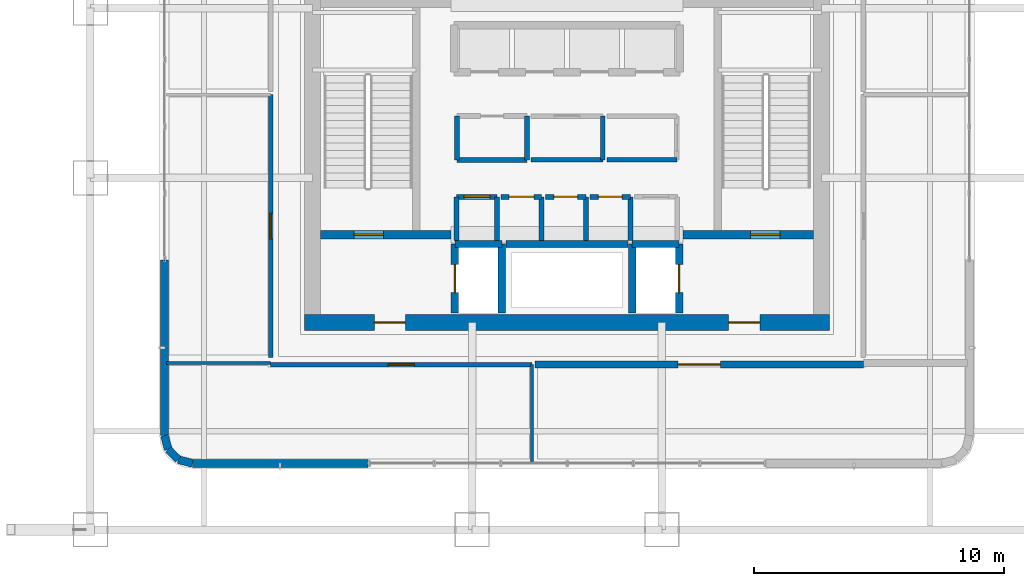
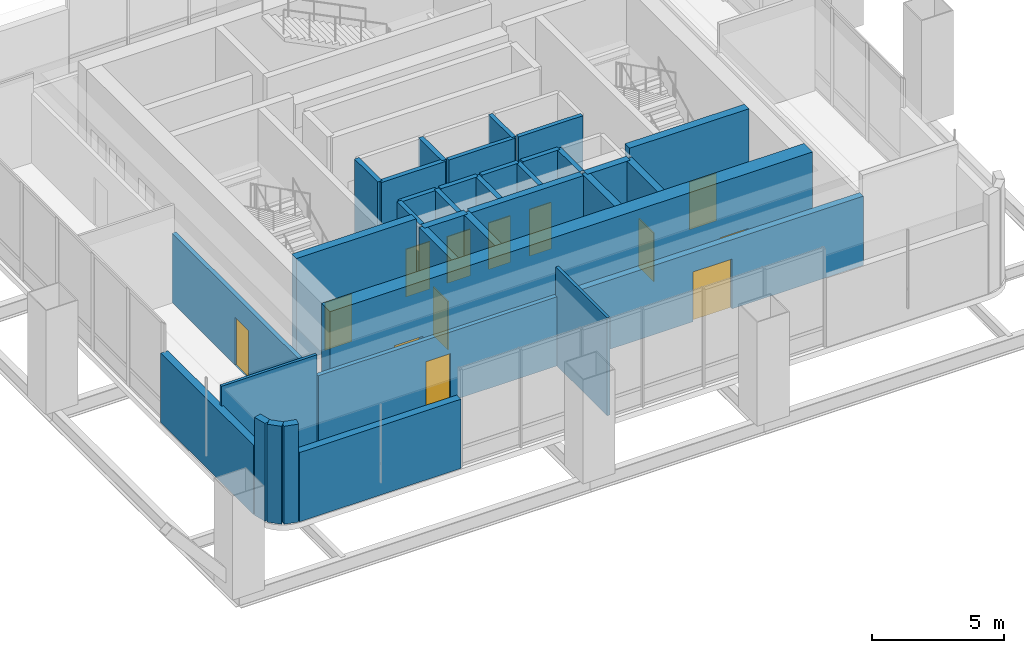
# One storey, part 18 of 30: 35 walls, 13 doors, 13 openings.
"""IFC4 building model written with IfcOpenShell, lengths in metres."""

from ifc_helpers import new_model, si_unit, direction, frame, frame_2d, origin, place, context, subcontext, project, spatial, rectangle, extrude, material, layer, layer_set, type_object, element, fill, save


model = new_model("IFC4")

# Units and contexts
model_context = context("Model", 3, precision=1e-05, world=origin(), true_north=direction((0.0, 1.0)))
body_context = subcontext(model_context, "Body", "Model", "MODEL_VIEW")
ifc_project = project(units=[si_unit("LENGTHUNIT", "METRE"), si_unit("AREAUNIT", "SQUARE_METRE"), si_unit("VOLUMEUNIT", "CUBIC_METRE"), si_unit("PLANEANGLEUNIT", "RADIAN"), si_unit("MASSUNIT", "GRAM", prefix="KILO")], contexts=[model_context])

# Site, building, storey
site_placement = place(None, origin())
site = spatial("IfcSite", under=ifc_project, at=site_placement, CompositionType="ELEMENT")
building_placement = place(site_placement, origin())
building = spatial("IfcBuilding", under=site, at=building_placement, Name="Punatoya Terracotta Tower", CompositionType="ELEMENT")
storey_placement = place(building_placement, frame((0.0, 0.0, 135.0)))
storey = spatial("IfcBuildingStorey", under=building, at=storey_placement, Name="L31", CompositionType="ELEMENT", Elevation=135.0)

# Wall, opening, door
ifc_material_1 = material(Name="Concrete C40/50", Category="concrete")
ifc_layer_1 = layer(ifc_material_1, 0.280029296875)
ifc_layer_set_1 = layer_set([ifc_layer_1], Name="Concrete C40/50")
wall_type_1 = type_object("IfcWallType", Name="WL-AUD-280", PredefinedType="SOLIDWALL", material=ifc_layer_set_1)
wall_1_placement = place(storey_placement, frame((-1.285888671875, -10.8798828125, 0.0), z_axis=(0.0, 0.0, 1.0), x_axis=(1.0, 0.0, 0.0)))
wall_1 = element("IfcWall", 1, at=wall_1_placement, inside=storey, type_object=wall_type_1, Name="L31 Waterfront Espresso Bistro Partition 25", PredefinedType="SOLIDWALL", context=body_context, shape_type="SweptSolid", body=[
    extrude(rectangle(XDim=13.165771484375, YDim=0.280029296875, at=frame_2d((6.5830078125, 0.0))), origin(), (0.0, 0.0, 1.0), 3.194091796875),
])
opening_1_placement = place(wall_1_placement, frame((5.73291015625, 0.0, 0.0)))
opening_1 = element("IfcOpeningElement", 2, at=opening_1_placement, cuts=wall_1, Name="Opening FD-D1", PredefinedType="OPENING", context=body_context, shape_type="SweptSolid", body=[
    extrude(rectangle(XDim=1.699951171875, YDim=2.300048828125, at=frame_2d((0.85009765625, 1.14990234375))), frame((0.0, 0.14990234375, 0.0), z_axis=(0.0, -1.0, 0.0), x_axis=(1.0, 0.0, 0.0)), (0.0, 0.0, 1.0), 0.300048828125),
])
ifc_material_2 = material(Name="Timber Teak Veneer Fire Leaf", Category="wood")
door_type_1 = type_object("IfcDoorType", Name="DR-DIN-1700", OperationType="NOTDEFINED", PredefinedType="DOOR", material=ifc_material_2)
door_1_placement = place(opening_1_placement, origin())
door_1 = element("IfcDoor", 3, at=door_1_placement, inside=storey, type_object=door_type_1, Name="L31 Waterfront Espresso Bistro Fire Door", OperationType="DOUBLE_DOOR_SINGLE_SWING", OverallHeight=2.300048828125, OverallWidth=1.699951171875, PredefinedType="DOOR", context=body_context, shape_type="SweptSolid", body=[
    extrude(rectangle(XDim=1.699951171875, YDim=2.300048828125, at=frame_2d((0.85009765625, 1.14990234375))), frame((0.0, 0.02490234375, 0.0), z_axis=(0.0, -1.0, 0.0), x_axis=(1.0, 0.0, 0.0)), (0.0, 0.0, 1.0), 0.050048828125),
])
fill(opening_1, door_1)

# Wall, openings, doors
ifc_material_3 = material(Name="Concrete C60/75", Category="concrete")
ifc_layer_2 = layer(ifc_material_3, 0.64990234375)
ifc_layer_set_2 = layer_set([ifc_layer_2], Name="Concrete C60/75")
wall_type_2 = type_object("IfcWallType", Name="WL-COR-650", PredefinedType="SHEAR", material=ifc_layer_set_2)
wall_2_placement = place(storey_placement, frame((10.52490234375, -9.199951171875, 0.0), z_axis=(0.0, 0.0, 1.0), x_axis=(-1.0, 0.0, 0.0)))
wall_2 = element("IfcWall", 4, at=wall_2_placement, inside=storey, type_object=wall_type_2, Name="L31 Core Shear Wall S", PredefinedType="SHEAR", context=body_context, shape_type="SweptSolid", body=[
    extrude(rectangle(XDim=21.0498046875, YDim=0.64990234375, at=frame_2d((10.52490234375, 0.0))), origin(), (0.0, 0.0, 1.0), 4.800048828125),
])
opening_2_placement = place(wall_2_placement, frame((2.800048828125, 0.0, 0.0)))
opening_2 = element("IfcOpeningElement", 5, at=opening_2_placement, cuts=wall_2, Name="Opening FD-L1", PredefinedType="OPENING", context=body_context, shape_type="SweptSolid", body=[
    extrude(rectangle(XDim=1.25, YDim=2.25, at=frame_2d((0.625, 1.125))), frame((0.0, 0.3349609375, 0.0), z_axis=(0.0, -1.0, 0.0), x_axis=(1.0, 0.0, 0.0)), (0.0, 0.0, 1.0), 0.669921875),
])
opening_3_placement = place(wall_2_placement, frame((17.0, 0.0, 0.0)))
opening_3 = element("IfcOpeningElement", 6, at=opening_3_placement, cuts=wall_2, Name="Opening FD-L1", PredefinedType="OPENING", context=body_context, shape_type="SweptSolid", body=[
    extrude(rectangle(XDim=1.25, YDim=2.25, at=frame_2d((0.625, 1.125))), frame((0.0, 0.3349609375, 0.0), z_axis=(0.0, -1.0, 0.0), x_axis=(1.0, 0.0, 0.0)), (0.0, 0.0, 1.0), 0.669921875),
])
ifc_material_4 = material(Name="Galvanised Steel Smokeproof Fire Door", Category="steel")
door_type_2 = type_object("IfcDoorType", Name="DR-FFL-1250", OperationType="NOTDEFINED", PredefinedType="DOOR", material=ifc_material_4)
door_2_placement = place(opening_2_placement, origin())
door_2 = element("IfcDoor", 7, at=door_2_placement, inside=storey, type_object=door_type_2, Name="L31 East Firefighting Lobby Corridor Fire Door", OperationType="SINGLE_SWING_LEFT", OverallHeight=2.25, OverallWidth=1.25, PredefinedType="DOOR", context=body_context, shape_type="SweptSolid", body=[
    extrude(rectangle(XDim=1.25, YDim=2.25, at=frame_2d((0.625, 1.125))), frame((0.0, 0.02490234375, 0.0), z_axis=(0.0, -1.0, 0.0), x_axis=(1.0, 0.0, 0.0)), (0.0, 0.0, 1.0), 0.050048828125),
])
fill(opening_2, door_2)
door_3_placement = place(opening_3_placement, origin())
door_3 = element("IfcDoor", 8, at=door_3_placement, inside=storey, type_object=door_type_2, Name="L31 West Firefighting Lobby Corridor Fire Door", OperationType="SINGLE_SWING_RIGHT", OverallHeight=2.25, OverallWidth=1.25, PredefinedType="DOOR", context=body_context, shape_type="SweptSolid", body=[
    extrude(rectangle(XDim=1.25, YDim=2.25, at=frame_2d((0.625, 1.125))), frame((0.0, 0.02490234375, 0.0), z_axis=(0.0, -1.0, 0.0), x_axis=(1.0, 0.0, 0.0)), (0.0, 0.0, 1.0), 0.050048828125),
])
fill(opening_3, door_3)

# Walls
ifc_material_5 = material(Name="Gypsum Fireboard + Steel Stud", Category="steel")
ifc_layer_3 = layer(ifc_material_5, 0.179931640625)
ifc_layer_set_3 = layer_set([ifc_layer_3], Name="Gypsum Fireboard + Steel Stud")
wall_type_3 = type_object("IfcWallType", Name="WL-CORR-180", PredefinedType="PARTITIONING", material=ifc_layer_set_3)
wall_3_placement = place(storey_placement, frame((1.43994140625, -2.679931640625, 0.0), z_axis=(0.0, 0.0, 1.0), x_axis=(0.0, 1.0, 0.0)))
element("IfcWall", 9, at=wall_3_placement, inside=storey, type_object=wall_type_3, Name="L31 Center Core Briefing Pod Partition 16", PredefinedType="PARTITIONING", context=body_context, shape_type="SweptSolid", body=[
    extrude(rectangle(XDim=1.760009765625, YDim=0.179931640625, at=frame_2d((0.8798828125, 0.0))), origin(), (0.0, 0.0, 1.0), 4.52001953125),
])
wall_4_placement = place(storey_placement, frame((-1.43994140625, -2.679931640625, 0.0), z_axis=(0.0, 0.0, 1.0), x_axis=(1.0, 0.0, 0.0)))
element("IfcWall", 10, at=wall_4_placement, inside=storey, type_object=wall_type_3, Name="L31 Center Core Briefing Pod Partition 18", PredefinedType="PARTITIONING", context=body_context, shape_type="SweptSolid", body=[
    extrude(rectangle(XDim=2.8798828125, YDim=0.179931640625, at=frame_2d((1.43994140625, 0.0))), origin(), (0.0, 0.0, 1.0), 4.52001953125),
])
wall_5_placement = place(storey_placement, frame((1.60009765625, -2.679931640625, 0.0), z_axis=(0.0, 0.0, 1.0), x_axis=(1.0, 0.0, 0.0)))
element("IfcWall", 11, at=wall_5_placement, inside=storey, type_object=wall_type_3, Name="L31 Right Core Copy Room Partition 21", PredefinedType="PARTITIONING", context=body_context, shape_type="SweptSolid", body=[
    extrude(rectangle(XDim=2.7998046875, YDim=0.179931640625, at=frame_2d((1.39990234375, 0.0))), origin(), (0.0, 0.0, 1.0), 4.52001953125),
])

# Wall, opening, door
wall_6_placement = place(storey_placement, frame((-11.8798828125, -10.8798828125, 0.0), z_axis=(0.0, 0.0, 1.0), x_axis=(1.0, 0.0, 0.0)))
wall_6 = element("IfcWall", 12, at=wall_6_placement, inside=storey, type_object=wall_type_3, Name="L31 Sky Lobby Transfer Lounge Partition 23", PredefinedType="PARTITIONING", context=body_context, shape_type="SweptSolid", body=[
    extrude(rectangle(XDim=10.473876953125, YDim=0.179931640625, at=frame_2d((5.23681640625, 0.0))), origin(), (0.0, 0.0, 1.0), 3.194091796875),
])
opening_4_placement = place(wall_6_placement, frame((4.7119140625, 0.0, 0.0)))
opening_4 = element("IfcOpeningElement", 13, at=opening_4_placement, cuts=wall_6, Name="Opening OD-01", PredefinedType="OPENING", context=body_context, shape_type="SweptSolid", body=[
    extrude(rectangle(XDim=1.050048828125, YDim=2.199951171875, at=frame_2d((0.52490234375, 1.10009765625))), frame((0.0, 0.099853515625, 0.0), z_axis=(0.0, -1.0, 0.0), x_axis=(1.0, 0.0, 0.0)), (0.0, 0.0, 1.0), 0.199951171875),
])
ifc_material_6 = material(Name="Bengal Teak Solid-Core Leaf")
door_type_3 = type_object("IfcDoorType", Name="DR-OFF-1050", OperationType="NOTDEFINED", PredefinedType="DOOR", material=ifc_material_6)
door_4_placement = place(opening_4_placement, origin())
door_4 = element("IfcDoor", 14, at=door_4_placement, inside=storey, type_object=door_type_3, Name="L31 Sky Transfer Lounge Door", OperationType="SINGLE_SWING_RIGHT", OverallHeight=2.199951171875, OverallWidth=1.050048828125, PredefinedType="DOOR", context=body_context, shape_type="SweptSolid", body=[
    extrude(rectangle(XDim=1.050048828125, YDim=2.199951171875, at=frame_2d((0.52490234375, 1.10009765625))), frame((0.0, 0.02490234375, 0.0), z_axis=(0.0, -1.0, 0.0), x_axis=(1.0, 0.0, 0.0)), (0.0, 0.0, 1.0), 0.050048828125),
])
fill(opening_4, door_4)

wall_7_placement = place(storey_placement, frame((-11.8798828125, -0.06005859375, 0.0), z_axis=(0.0, 0.0, 1.0), x_axis=(0.0, -1.0, 0.0)))
wall_7 = element("IfcWall", 15, at=wall_7_placement, inside=storey, type_object=wall_type_3, Name="L31 Client Symposium Boardroom Partition 28", PredefinedType="PARTITIONING", context=body_context, shape_type="SweptSolid", body=[
    extrude(rectangle(XDim=10.5400390625, YDim=0.179931640625, at=frame_2d((5.27001953125, 0.0))), origin(), (0.0, 0.0, 1.0), 3.194091796875),
])
opening_5_placement = place(wall_7_placement, frame((4.760009765625, 0.0, 0.0)))
opening_5 = element("IfcOpeningElement", 16, at=opening_5_placement, cuts=wall_7, Name="Opening MD-01", PredefinedType="OPENING", context=body_context, shape_type="SweptSolid", body=[
    extrude(rectangle(XDim=1.02001953125, YDim=2.199951171875, at=frame_2d((0.510009765625, 1.10009765625))), frame((0.0, 0.099853515625, 0.0), z_axis=(0.0, -1.0, 0.0), x_axis=(1.0, 0.0, 0.0)), (0.0, 0.0, 1.0), 0.199951171875),
])
ifc_material_7 = material(Name="Aluminium + Acoustic Glass Leaf", Category="aluminium")
door_type_4 = type_object("IfcDoorType", Name="DR-MTG-1020", OperationType="NOTDEFINED", PredefinedType="DOOR", material=ifc_material_7)
door_5_placement = place(opening_5_placement, origin())
door_5 = element("IfcDoor", 17, at=door_5_placement, inside=storey, type_object=door_type_4, Name="L31 Client Symposium Boardroom Door", OperationType="SINGLE_SWING_RIGHT", OverallHeight=2.199951171875, OverallWidth=1.02001953125, PredefinedType="DOOR", context=body_context, shape_type="SweptSolid", body=[
    extrude(rectangle(XDim=1.02001953125, YDim=2.199951171875, at=frame_2d((0.510009765625, 1.10009765625))), frame((0.0, 0.02490234375, 0.0), z_axis=(0.0, -1.0, 0.0), x_axis=(1.0, 0.0, 0.0)), (0.0, 0.0, 1.0), 0.050048828125),
])
fill(opening_5, door_5)

# Walls
ifc_material_8 = material(Name="Precast concrete C40/50", Category="concrete")
ifc_layer_4 = layer(ifc_material_8, 0.320068359375)
ifc_layer_set_4 = layer_set([ifc_layer_4], Name="Precast concrete C40/50")
wall_type_4 = type_object("IfcWallType", Name="WL-EXT-320", PredefinedType="SOLIDWALL", material=ifc_layer_set_4)
for number, where, z_axis, x_axis, name in (
    (18, (-15.016845703125, -14.840087890625, 0.0), (0.0, 0.0, 1.0), (1.0, 0.0, 0.0), "L31 Terracotta Braced Facade Wall S1"),
    (19, (-16.1298828125, -6.68994140625, 0.0), (0.0, 0.0, 1.0), (0.0, -1.0, 0.0), "L31 Terracotta Braced Facade Wall W2"),
):
    element("IfcWall", number, at=place(storey_placement, frame(where, z_axis=z_axis, x_axis=x_axis)), inside=storey, type_object=wall_type_4, Name=name, PredefinedType="SOLIDWALL", context=body_context, shape_type="SweptSolid", body=[
        extrude(rectangle(XDim=7.036865234375, YDim=0.320068359375, at=frame_2d((3.5185546875, 0.0))), origin(), (0.0, 0.0, 1.0), 3.194091796875),
    ])
wall_8_placement = place(storey_placement, frame((-16.1298828125, -13.726806640625, 0.0), z_axis=(0.0, 0.0, 1.0), x_axis=(0.255650250031, -0.966769336325, 0.0)))
element("IfcWall", 20, at=wall_8_placement, inside=storey, type_object=wall_type_4, Name="L31 Rounded Terracotta Corner Pier 14", PredefinedType="SOLIDWALL", context=body_context, shape_type="SweptSolid", body=[
    extrude(rectangle(XDim=0.58154296875, YDim=0.320068359375, at=frame_2d((0.290771484375, 0.0))), origin(), (0.0, 0.0, 1.0), 4.52001953125),
])
wall_9_placement = place(storey_placement, frame((-15.981201171875, -14.2890625, 0.0), z_axis=(0.0, 0.0, 1.0), x_axis=(0.707106781187, -0.707106781187, 0.0)))
element("IfcWall", 21, at=wall_9_placement, inside=storey, type_object=wall_type_4, Name="L31 Rounded Terracotta Corner Pier 15", PredefinedType="SOLIDWALL", context=body_context, shape_type="SweptSolid", body=[
    extrude(rectangle(XDim=0.568603515625, YDim=0.320068359375, at=frame_2d((0.2841796875, 0.0))), origin(), (0.0, 0.0, 1.0), 4.52001953125),
])
wall_10_placement = place(storey_placement, frame((-15.5791015625, -14.691162109375, 0.0), z_axis=(0.0, 0.0, 1.0), x_axis=(0.966665515501, -0.256042537758, 0.0)))
element("IfcWall", 22, at=wall_10_placement, inside=storey, type_object=wall_type_4, Name="L31 Rounded Terracotta Corner Pier 16", PredefinedType="SOLIDWALL", context=body_context, shape_type="SweptSolid", body=[
    extrude(rectangle(XDim=0.58154296875, YDim=0.320068359375, at=frame_2d((0.290771484375, 0.0))), origin(), (0.0, 0.0, 1.0), 4.52001953125),
])
ifc_layer_5 = layer(ifc_material_1, 0.199951171875)
ifc_layer_set_5 = layer_set([ifc_layer_5], Name="Concrete C40/50")
wall_type_5 = type_object("IfcWallType", Name="WL-INT-200", PredefinedType="SOLIDWALL", material=ifc_layer_set_5)
wall_11_placement = place(storey_placement, frame((-2.800048828125, -5.89990234375, 0.0), z_axis=(0.0, 0.0, 1.0), x_axis=(0.0, 1.0, 0.0)))
element("IfcWall", 23, at=wall_11_placement, inside=storey, type_object=wall_type_5, Name="L31 Core Tea Pantry Partition 01", PredefinedType="SOLIDWALL", context=body_context, shape_type="SweptSolid", body=[
    extrude(rectangle(XDim=1.739990234375, YDim=0.199951171875, at=frame_2d((0.8701171875, 0.0))), origin(), (0.0, 0.0, 1.0), 4.52001953125),
])

# Wall, opening, door
wall_12_placement = place(storey_placement, frame((-2.800048828125, -4.159912109375, 0.0), z_axis=(0.0, 0.0, 1.0), x_axis=(-1.0, 0.0, 0.0)))
wall_12 = element("IfcWall", 24, at=wall_12_placement, inside=storey, type_object=wall_type_5, Name="L31 Core Tea Pantry Partition 02", PredefinedType="SOLIDWALL", context=body_context, shape_type="SweptSolid", body=[
    extrude(rectangle(XDim=1.619873046875, YDim=0.199951171875, at=frame_2d((0.81005859375, 0.0))), origin(), (0.0, 0.0, 1.0), 4.52001953125),
])
opening_6_placement = place(wall_12_placement, frame((0.284912109375, 0.0, 0.0)))
opening_6 = element("IfcOpeningElement", 25, at=opening_6_placement, cuts=wall_12, Name="Opening OD-01", PredefinedType="OPENING", context=body_context, shape_type="SweptSolid", body=[
    extrude(rectangle(XDim=1.050048828125, YDim=2.199951171875, at=frame_2d((0.52490234375, 1.10009765625))), frame((0.0, 0.10986328125, 0.0), z_axis=(0.0, -1.0, 0.0), x_axis=(1.0, 0.0, 0.0)), (0.0, 0.0, 1.0), 0.219970703125),
])
door_6_placement = place(opening_6_placement, origin())
door_6 = element("IfcDoor", 26, at=door_6_placement, inside=storey, type_object=door_type_3, Name="L31 Tea Pantry Door", OperationType="SINGLE_SWING_RIGHT", OverallHeight=2.199951171875, OverallWidth=1.050048828125, PredefinedType="DOOR", context=body_context, shape_type="SweptSolid", body=[
    extrude(rectangle(XDim=1.050048828125, YDim=2.199951171875, at=frame_2d((0.52490234375, 1.10009765625))), frame((0.0, 0.02490234375, 0.0), z_axis=(0.0, -1.0, 0.0), x_axis=(1.0, 0.0, 0.0)), (0.0, 0.0, 1.0), 0.050048828125),
])
fill(opening_6, door_6)

# Walls
for number, where, z_axis, x_axis, name in (
    (27, (-4.419921875, -4.159912109375, 0.0), (0.0, 0.0, 1.0), (0.0, -1.0, 0.0), "L31 Core Tea Pantry Partition 03"),
    (28, (-1.02001953125, -5.89990234375, 0.0), (0.0, 0.0, 1.0), (0.0, 1.0, 0.0), "L31 Accessible Washroom Partition 04"),
):
    element("IfcWall", number, at=place(storey_placement, frame(where, z_axis=z_axis, x_axis=x_axis)), inside=storey, type_object=wall_type_5, Name=name, PredefinedType="SOLIDWALL", context=body_context, shape_type="SweptSolid", body=[
        extrude(rectangle(XDim=1.739990234375, YDim=0.199951171875, at=frame_2d((0.8701171875, 0.0))), origin(), (0.0, 0.0, 1.0), 4.52001953125),
    ])

# Wall, opening, door
wall_13_placement = place(storey_placement, frame((-1.02001953125, -4.159912109375, 0.0), z_axis=(0.0, 0.0, 1.0), x_axis=(-1.0, 0.0, 0.0)))
wall_13 = element("IfcWall", 29, at=wall_13_placement, inside=storey, type_object=wall_type_5, Name="L31 Accessible Washroom Partition 05", PredefinedType="SOLIDWALL", context=body_context, shape_type="SweptSolid", body=[
    extrude(rectangle(XDim=1.619873046875, YDim=0.199951171875, at=frame_2d((0.81005859375, 0.0))), origin(), (0.0, 0.0, 1.0), 4.52001953125),
])
opening_7_placement = place(wall_13_placement, frame((0.31005859375, 0.0, 0.0)))
opening_7 = element("IfcOpeningElement", 30, at=opening_7_placement, cuts=wall_13, Name="Opening AWD-1", PredefinedType="OPENING", context=body_context, shape_type="SweptSolid", body=[
    extrude(rectangle(XDim=1.0, YDim=2.14990234375, at=frame_2d((0.5, 1.074951171875))), frame((0.0, 0.10986328125, 0.0), z_axis=(0.0, -1.0, 0.0), x_axis=(1.0, 0.0, 0.0)), (0.0, 0.0, 1.0), 0.219970703125),
])
ifc_material_9 = material(Name="Bengal Teak Accessible WC Leaf")
door_type_5 = type_object("IfcDoorType", Name="DR-ACC-1000", OperationType="NOTDEFINED", PredefinedType="DOOR", material=ifc_material_9)
door_7_placement = place(opening_7_placement, origin())
door_7 = element("IfcDoor", 31, at=door_7_placement, inside=storey, type_object=door_type_5, Name="L31 Accessible Washroom Door", OperationType="SINGLE_SWING_LEFT", OverallHeight=2.14990234375, OverallWidth=1.0, PredefinedType="DOOR", context=body_context, shape_type="SweptSolid", body=[
    extrude(rectangle(XDim=1.0, YDim=2.14990234375, at=frame_2d((0.5, 1.074951171875))), frame((0.0, 0.02490234375, 0.0), z_axis=(0.0, -1.0, 0.0), x_axis=(1.0, 0.0, 0.0)), (0.0, 0.0, 1.0), 0.050048828125),
])
fill(opening_7, door_7)

# Wall
wall_14_placement = place(storey_placement, frame((0.760009765625, -5.89990234375, 0.0), z_axis=(0.0, 0.0, 1.0), x_axis=(0.0, 1.0, 0.0)))
element("IfcWall", 32, at=wall_14_placement, inside=storey, type_object=wall_type_5, Name="L31 Female Washroom Partition 06", PredefinedType="SOLIDWALL", context=body_context, shape_type="SweptSolid", body=[
    extrude(rectangle(XDim=1.739990234375, YDim=0.199951171875, at=frame_2d((0.8701171875, 0.0))), origin(), (0.0, 0.0, 1.0), 4.52001953125),
])

# Wall, opening, door
wall_15_placement = place(storey_placement, frame((0.760009765625, -4.159912109375, 0.0), z_axis=(0.0, 0.0, 1.0), x_axis=(-1.0, 0.0, 0.0)))
wall_15 = element("IfcWall", 33, at=wall_15_placement, inside=storey, type_object=wall_type_5, Name="L31 Female Washroom Partition 07", PredefinedType="SOLIDWALL", context=body_context, shape_type="SweptSolid", body=[
    extrude(rectangle(XDim=1.6201171875, YDim=0.199951171875, at=frame_2d((0.81005859375, 0.0))), origin(), (0.0, 0.0, 1.0), 4.52001953125),
])
opening_8_placement = place(wall_15_placement, frame((0.3349609375, 0.0, 0.0)))
opening_8 = element("IfcOpeningElement", 34, at=opening_8_placement, cuts=wall_15, Name="Opening WD-01", PredefinedType="OPENING", context=body_context, shape_type="SweptSolid", body=[
    extrude(rectangle(XDim=0.949951171875, YDim=2.14990234375, at=frame_2d((0.47509765625, 1.074951171875))), frame((0.0, 0.10986328125, 0.0), z_axis=(0.0, -1.0, 0.0), x_axis=(1.0, 0.0, 0.0)), (0.0, 0.0, 1.0), 0.219970703125),
])
ifc_material_10 = material(Name="Moisture-Resistant Laminate Timber Leaf", Category="wood")
door_type_6 = type_object("IfcDoorType", Name="DR-WC-950", OperationType="NOTDEFINED", PredefinedType="DOOR", material=ifc_material_10)
door_8_placement = place(opening_8_placement, origin())
door_8 = element("IfcDoor", 35, at=door_8_placement, inside=storey, type_object=door_type_6, Name="L31 Female Washroom Door", OperationType="SINGLE_SWING_RIGHT", OverallHeight=2.14990234375, OverallWidth=0.949951171875, PredefinedType="DOOR", context=body_context, shape_type="SweptSolid", body=[
    extrude(rectangle(XDim=0.949951171875, YDim=2.14990234375, at=frame_2d((0.47509765625, 1.074951171875))), frame((0.0, 0.02490234375, 0.0), z_axis=(0.0, -1.0, 0.0), x_axis=(1.0, 0.0, 0.0)), (0.0, 0.0, 1.0), 0.050048828125),
])
fill(opening_8, door_8)

# Wall
wall_16_placement = place(storey_placement, frame((2.5400390625, -5.89990234375, 0.0), z_axis=(0.0, 0.0, 1.0), x_axis=(0.0, 1.0, 0.0)))
element("IfcWall", 36, at=wall_16_placement, inside=storey, type_object=wall_type_5, Name="L31 Male Washroom Partition 08", PredefinedType="SOLIDWALL", context=body_context, shape_type="SweptSolid", body=[
    extrude(rectangle(XDim=1.739990234375, YDim=0.199951171875, at=frame_2d((0.8701171875, 0.0))), origin(), (0.0, 0.0, 1.0), 4.52001953125),
])

# Wall, opening, door
wall_17_placement = place(storey_placement, frame((2.5400390625, -4.159912109375, 0.0), z_axis=(0.0, 0.0, 1.0), x_axis=(-1.0, 0.0, 0.0)))
wall_17 = element("IfcWall", 37, at=wall_17_placement, inside=storey, type_object=wall_type_5, Name="L31 Male Washroom Partition 09", PredefinedType="SOLIDWALL", context=body_context, shape_type="SweptSolid", body=[
    extrude(rectangle(XDim=1.6201171875, YDim=0.199951171875, at=frame_2d((0.81005859375, 0.0))), origin(), (0.0, 0.0, 1.0), 4.52001953125),
])
opening_9_placement = place(wall_17_placement, frame((0.3349609375, 0.0, 0.0)))
opening_9 = element("IfcOpeningElement", 38, at=opening_9_placement, cuts=wall_17, Name="Opening WD-01", PredefinedType="OPENING", context=body_context, shape_type="SweptSolid", body=[
    extrude(rectangle(XDim=0.949951171875, YDim=2.14990234375, at=frame_2d((0.47509765625, 1.074951171875))), frame((0.0, 0.10986328125, 0.0), z_axis=(0.0, -1.0, 0.0), x_axis=(1.0, 0.0, 0.0)), (0.0, 0.0, 1.0), 0.219970703125),
])
door_9_placement = place(opening_9_placement, origin())
door_9 = element("IfcDoor", 39, at=door_9_placement, inside=storey, type_object=door_type_6, Name="L31 Male Washroom Door", OperationType="SINGLE_SWING_LEFT", OverallHeight=2.14990234375, OverallWidth=0.949951171875, PredefinedType="DOOR", context=body_context, shape_type="SweptSolid", body=[
    extrude(rectangle(XDim=0.949951171875, YDim=2.14990234375, at=frame_2d((0.47509765625, 1.074951171875))), frame((0.0, 0.02490234375, 0.0), z_axis=(0.0, -1.0, 0.0), x_axis=(1.0, 0.0, 0.0)), (0.0, 0.0, 1.0), 0.050048828125),
])
fill(opening_9, door_9)

# Walls
for number, where, z_axis, x_axis, name in (
    (40, (-1.60009765625, -2.679931640625, 0.0), (0.0, 0.0, 1.0), (0.0, 1.0, 0.0), "L31 Left Core Store Partition 12"),
    (41, (-4.39990234375, -0.919921875, 0.0), (0.0, 0.0, 1.0), (0.0, -1.0, 0.0), "L31 Left Core Store Partition 14"),
):
    element("IfcWall", number, at=place(storey_placement, frame(where, z_axis=z_axis, x_axis=x_axis)), inside=storey, type_object=wall_type_5, Name=name, PredefinedType="SOLIDWALL", context=body_context, shape_type="SweptSolid", body=[
        extrude(rectangle(XDim=1.760009765625, YDim=0.199951171875, at=frame_2d((0.8798828125, 0.0))), origin(), (0.0, 0.0, 1.0), 4.52001953125),
    ])
wall_18_placement = place(storey_placement, frame((-4.39990234375, -2.679931640625, 0.0), z_axis=(0.0, 0.0, 1.0), x_axis=(1.0, 0.0, 0.0)))
element("IfcWall", 42, at=wall_18_placement, inside=storey, type_object=wall_type_5, Name="L31 Left Core Store Partition 15", PredefinedType="SOLIDWALL", context=body_context, shape_type="SweptSolid", body=[
    extrude(rectangle(XDim=2.7998046875, YDim=0.199951171875, at=frame_2d((1.39990234375, 0.0))), origin(), (0.0, 0.0, 1.0), 4.52001953125),
])
ifc_material_11 = material(Name="Gypsum Partition + Steel Stud", Category="steel")
ifc_layer_6 = layer(ifc_material_11, 0.1201171875)
ifc_layer_set_6 = layer_set([ifc_layer_6], Name="Gypsum Partition + Steel Stud")
wall_type_6 = type_object("IfcWallType", Name="WL-OFF-120", PredefinedType="PARTITIONING", material=ifc_layer_set_6)
wall_19_placement = place(storey_placement, frame((-16.050048828125, -10.820068359375, 0.0), z_axis=(0.0, 0.0, 1.0), x_axis=(1.0, 0.0, 0.0)))
element("IfcWall", 43, at=wall_19_placement, inside=storey, type_object=wall_type_6, Name="L31 Sky Lobby Transfer Lounge Partition 22", PredefinedType="PARTITIONING", context=body_context, shape_type="SweptSolid", body=[
    extrude(rectangle(XDim=4.170166015625, YDim=0.1201171875, at=frame_2d((2.0849609375, 0.0))), origin(), (0.0, 0.0, 1.0), 4.114013671875),
])
wall_20_placement = place(storey_placement, frame((-1.406005859375, -10.8798828125, 0.0), z_axis=(0.0, 0.0, 1.0), x_axis=(0.0, -1.0, 0.0)))
element("IfcWall", 44, at=wall_20_placement, inside=storey, type_object=wall_type_6, Name="L31 Sky Lobby Transfer Lounge Partition 24", PredefinedType="PARTITIONING", context=body_context, shape_type="SweptSolid", body=[
    extrude(rectangle(XDim=3.880126953125, YDim=0.1201171875, at=frame_2d((1.93994140625, 0.0))), origin(), (0.0, 0.0, 1.0), 4.52001953125),
])

# Wall, opening, door
ifc_layer_7 = layer(ifc_material_1, 0.300048828125)
ifc_layer_set_7 = layer_set([ifc_layer_7], Name="Concrete C40/50")
wall_type_7 = type_object("IfcWallType", Name="WL-SHF-300", PredefinedType="SOLIDWALL", material=ifc_layer_set_7)
wall_21_placement = place(storey_placement, frame((-4.489990234375, -8.820068359375, 0.0), z_axis=(0.0, 0.0, 1.0), x_axis=(0.0, 1.0, 0.0)))
wall_21 = element("IfcWall", 45, at=wall_21_placement, inside=storey, type_object=wall_type_7, Name="L31 FFL-1 Front Hoistway Wall", PredefinedType="SOLIDWALL", context=body_context, shape_type="SweptSolid", body=[
    extrude(rectangle(XDim=2.77001953125, YDim=0.300048828125, at=frame_2d((1.385009765625, 0.0))), origin(), (0.0, 0.0, 1.0), 4.52001953125),
])
opening_10_placement = place(wall_21_placement, frame((0.824951171875, 0.0, 0.0)))
opening_10 = element("IfcOpeningElement", 46, at=opening_10_placement, cuts=wall_21, Name="Opening LD-02", PredefinedType="OPENING", context=body_context, shape_type="SweptSolid", body=[
    extrude(rectangle(XDim=1.1201171875, YDim=2.25, at=frame_2d((0.56005859375, 1.125))), frame((0.0, 0.159912109375, 0.0), z_axis=(0.0, -1.0, 0.0), x_axis=(1.0, 0.0, 0.0)), (0.0, 0.0, 1.0), 0.320068359375),
])
ifc_material_12 = material(Name="Stainless Steel Lift Landing Door", Category="steel")
door_type_7 = type_object("IfcDoorType", Name="DR-LND-1120", OperationType="NOTDEFINED", PredefinedType="DOOR", material=ifc_material_12)
door_10_placement = place(opening_10_placement, origin())
door_10 = element("IfcDoor", 47, at=door_10_placement, inside=storey, type_object=door_type_7, Name="L31 Firefighting Lift FFL-1 Sliding Landing Door", OperationType="SLIDING_TO_LEFT", OverallHeight=2.25, OverallWidth=1.1201171875, PredefinedType="DOOR", context=body_context, shape_type="SweptSolid", body=[
    extrude(rectangle(XDim=1.1201171875, YDim=2.25, at=frame_2d((0.56005859375, 1.125))), frame((0.0, 0.02490234375, 0.0), z_axis=(0.0, -1.0, 0.0), x_axis=(1.0, 0.0, 0.0)), (0.0, 0.0, 1.0), 0.050048828125),
])
fill(opening_10, door_10)

# Walls
wall_22_placement = place(storey_placement, frame((-2.610107421875, -8.820068359375, 0.0), z_axis=(0.0, 0.0, 1.0), x_axis=(0.0, 1.0, 0.0)))
element("IfcWall", 48, at=wall_22_placement, inside=storey, type_object=wall_type_7, Name="L31 FFL-1 Rear Hoistway Wall", PredefinedType="SOLIDWALL", context=body_context, shape_type="SweptSolid", body=[
    extrude(rectangle(XDim=2.77001953125, YDim=0.300048828125, at=frame_2d((1.385009765625, 0.0))), origin(), (0.0, 0.0, 1.0), 4.52001953125),
])
wall_23_placement = place(storey_placement, frame((-4.489990234375, -6.050048828125, 0.0), z_axis=(0.0, 0.0, 1.0), x_axis=(1.0, 0.0, 0.0)))
element("IfcWall", 49, at=wall_23_placement, inside=storey, type_object=wall_type_7, Name="L31 FFL-1 North Hoistway Wall", PredefinedType="SOLIDWALL", context=body_context, shape_type="SweptSolid", body=[
    extrude(rectangle(XDim=1.8798828125, YDim=0.300048828125, at=frame_2d((0.93994140625, 0.0))), origin(), (0.0, 0.0, 1.0), 4.52001953125),
])

# Wall, opening, door
wall_24_placement = place(storey_placement, frame((4.489990234375, -8.820068359375, 0.0), z_axis=(0.0, 0.0, 1.0), x_axis=(0.0, 1.0, 0.0)))
wall_24 = element("IfcWall", 50, at=wall_24_placement, inside=storey, type_object=wall_type_7, Name="L31 FFL-2 Front Hoistway Wall", PredefinedType="SOLIDWALL", context=body_context, shape_type="SweptSolid", body=[
    extrude(rectangle(XDim=2.77001953125, YDim=0.300048828125, at=frame_2d((1.385009765625, 0.0))), origin(), (0.0, 0.0, 1.0), 4.52001953125),
])
opening_11_placement = place(wall_24_placement, frame((0.824951171875, 0.0, 0.0)))
opening_11 = element("IfcOpeningElement", 51, at=opening_11_placement, cuts=wall_24, Name="Opening LD-02", PredefinedType="OPENING", context=body_context, shape_type="SweptSolid", body=[
    extrude(rectangle(XDim=1.1201171875, YDim=2.25, at=frame_2d((0.56005859375, 1.125))), frame((0.0, 0.159912109375, 0.0), z_axis=(0.0, -1.0, 0.0), x_axis=(1.0, 0.0, 0.0)), (0.0, 0.0, 1.0), 0.320068359375),
])
door_11_placement = place(opening_11_placement, origin())
door_11 = element("IfcDoor", 52, at=door_11_placement, inside=storey, type_object=door_type_7, Name="L31 Firefighting Lift FFL-2 Sliding Landing Door", OperationType="SLIDING_TO_RIGHT", OverallHeight=2.25, OverallWidth=1.1201171875, PredefinedType="DOOR", context=body_context, shape_type="SweptSolid", body=[
    extrude(rectangle(XDim=1.1201171875, YDim=2.25, at=frame_2d((0.56005859375, 1.125))), frame((0.0, 0.02490234375, 0.0), z_axis=(0.0, -1.0, 0.0), x_axis=(1.0, 0.0, 0.0)), (0.0, 0.0, 1.0), 0.050048828125),
])
fill(opening_11, door_11)

# Walls
wall_25_placement = place(storey_placement, frame((2.610107421875, -8.820068359375, 0.0), z_axis=(0.0, 0.0, 1.0), x_axis=(0.0, 1.0, 0.0)))
element("IfcWall", 53, at=wall_25_placement, inside=storey, type_object=wall_type_7, Name="L31 FFL-2 Rear Hoistway Wall", PredefinedType="SOLIDWALL", context=body_context, shape_type="SweptSolid", body=[
    extrude(rectangle(XDim=2.77001953125, YDim=0.300048828125, at=frame_2d((1.385009765625, 0.0))), origin(), (0.0, 0.0, 1.0), 4.52001953125),
])
wall_26_placement = place(storey_placement, frame((2.610107421875, -6.050048828125, 0.0), z_axis=(0.0, 0.0, 1.0), x_axis=(1.0, 0.0, 0.0)))
element("IfcWall", 54, at=wall_26_placement, inside=storey, type_object=wall_type_7, Name="L31 FFL-2 North Hoistway Wall", PredefinedType="SOLIDWALL", context=body_context, shape_type="SweptSolid", body=[
    extrude(rectangle(XDim=1.8798828125, YDim=0.300048828125, at=frame_2d((0.93994140625, 0.0))), origin(), (0.0, 0.0, 1.0), 4.52001953125),
])
wall_27_placement = place(storey_placement, frame((-2.449951171875, -6.050048828125, 0.0), z_axis=(0.0, 0.0, 1.0), x_axis=(1.0, 0.0, 0.0)))
element("IfcWall", 55, at=wall_27_placement, inside=storey, type_object=wall_type_7, Name="L31 Observation Shuttle Rear Hoistway Wall", PredefinedType="SOLIDWALL", context=body_context, shape_type="SweptSolid", body=[
    extrude(rectangle(XDim=4.89990234375, YDim=0.300048828125, at=frame_2d((2.449951171875, 0.0))), origin(), (0.0, 0.0, 1.0), 4.52001953125),
])

# Wall, opening, door
ifc_material_13 = material(Name="Concrete C50/60", Category="concrete")
ifc_layer_8 = layer(ifc_material_13, 0.35009765625)
ifc_layer_set_8 = layer_set([ifc_layer_8], Name="Concrete C50/60")
wall_type_8 = type_object("IfcWallType", Name="WL-SHF-350", PredefinedType="SOLIDWALL", material=ifc_layer_set_8)
wall_28_placement = place(storey_placement, frame((-9.875, -5.679931640625, 0.0), z_axis=(0.0, 0.0, 1.0), x_axis=(1.0, 0.0, 0.0)))
wall_28 = element("IfcWall", 56, at=wall_28_placement, inside=storey, type_object=wall_type_8, Name="L31 Core Web Wall CSW-L", PredefinedType="SOLIDWALL", context=body_context, shape_type="SweptSolid", body=[
    extrude(rectangle(XDim=5.22509765625, YDim=0.35009765625, at=frame_2d((2.612548828125, 0.0))), origin(), (0.0, 0.0, 1.0), 4.800048828125),
])
opening_12_placement = place(wall_28_placement, frame((1.3349609375, 0.0, 0.0)))
opening_12 = element("IfcOpeningElement", 57, at=opening_12_placement, cuts=wall_28, Name="Opening SD-01", PredefinedType="OPENING", context=body_context, shape_type="SweptSolid", body=[
    extrude(rectangle(XDim=1.179931640625, YDim=2.199951171875, at=frame_2d((0.58984375, 1.10009765625))), frame((0.0, 0.18505859375, 0.0), z_axis=(0.0, -1.0, 0.0), x_axis=(1.0, 0.0, 0.0)), (0.0, 0.0, 1.0), 0.3701171875),
])
ifc_material_14 = material(Name="Galvanised Steel Pressurized Stair Fire Door", Category="steel")
door_type_8 = type_object("IfcDoorType", Name="DR-STR-1180", OperationType="NOTDEFINED", PredefinedType="DOOR", material=ifc_material_14)
door_12_placement = place(opening_12_placement, origin())
door_12 = element("IfcDoor", 58, at=door_12_placement, inside=storey, type_object=door_type_8, Name="L31 Stair ST-1 Smokeproof Lobby Fire Door", OperationType="SINGLE_SWING_LEFT", OverallHeight=2.199951171875, OverallWidth=1.179931640625, PredefinedType="DOOR", context=body_context, shape_type="SweptSolid", body=[
    extrude(rectangle(XDim=1.179931640625, YDim=2.199951171875, at=frame_2d((0.58984375, 1.10009765625))), frame((0.0, 0.02490234375, 0.0), z_axis=(0.0, -1.0, 0.0), x_axis=(1.0, 0.0, 0.0)), (0.0, 0.0, 1.0), 0.050048828125),
])
fill(opening_12, door_12)

wall_29_placement = place(storey_placement, frame((4.64990234375, -5.679931640625, 0.0), z_axis=(0.0, 0.0, 1.0), x_axis=(1.0, 0.0, 0.0)))
wall_29 = element("IfcWall", 59, at=wall_29_placement, inside=storey, type_object=wall_type_8, Name="L31 Core Web Wall CSW-R", PredefinedType="SOLIDWALL", context=body_context, shape_type="SweptSolid", body=[
    extrude(rectangle(XDim=5.22509765625, YDim=0.35009765625, at=frame_2d((2.612548828125, 0.0))), origin(), (0.0, 0.0, 1.0), 4.800048828125),
])
opening_13_placement = place(wall_29_placement, frame((2.7099609375, 0.0, 0.0)))
opening_13 = element("IfcOpeningElement", 60, at=opening_13_placement, cuts=wall_29, Name="Opening SD-01", PredefinedType="OPENING", context=body_context, shape_type="SweptSolid", body=[
    extrude(rectangle(XDim=1.179931640625, YDim=2.199951171875, at=frame_2d((0.58984375, 1.10009765625))), frame((0.0, 0.18505859375, 0.0), z_axis=(0.0, -1.0, 0.0), x_axis=(1.0, 0.0, 0.0)), (0.0, 0.0, 1.0), 0.3701171875),
])
door_13_placement = place(opening_13_placement, origin())
door_13 = element("IfcDoor", 61, at=door_13_placement, inside=storey, type_object=door_type_8, Name="L31 Stair ST-2 Smokeproof Lobby Fire Door", OperationType="SINGLE_SWING_RIGHT", OverallHeight=2.199951171875, OverallWidth=1.179931640625, PredefinedType="DOOR", context=body_context, shape_type="SweptSolid", body=[
    extrude(rectangle(XDim=1.179931640625, YDim=2.199951171875, at=frame_2d((0.58984375, 1.10009765625))), frame((0.0, 0.02490234375, 0.0), z_axis=(0.0, -1.0, 0.0), x_axis=(1.0, 0.0, 0.0)), (0.0, 0.0, 1.0), 0.050048828125),
])
fill(opening_13, door_13)

save(model, "model.ifc")
